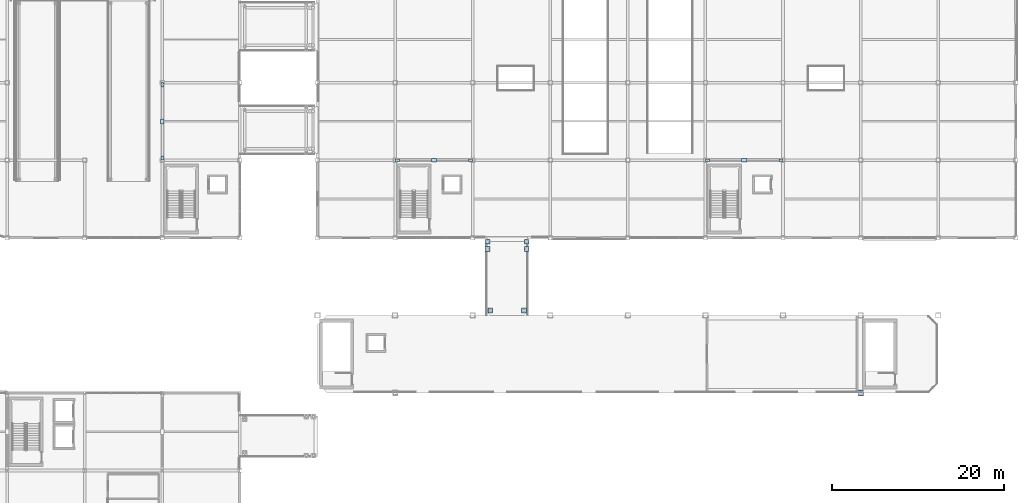
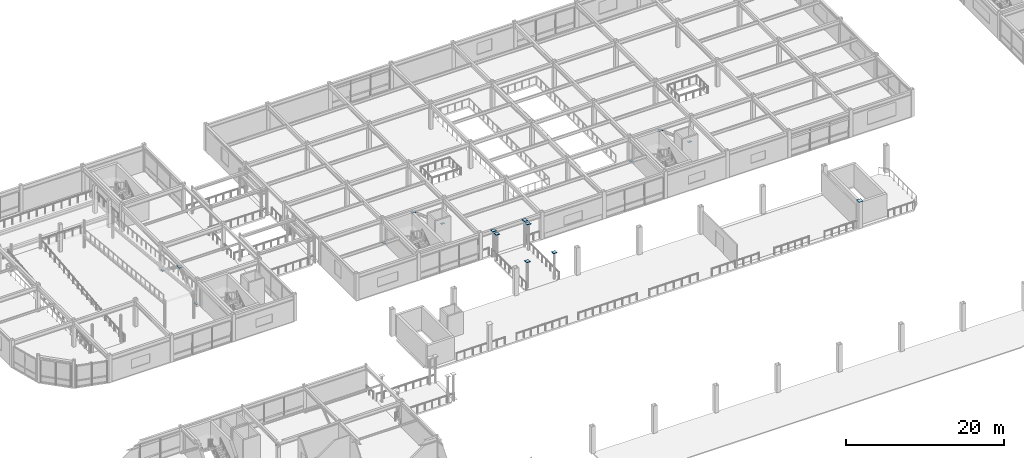
# One storey, part 69 of 105: 16 plates.
"""IFC4 building model written with IfcOpenShell, lengths in metres."""

from ifc_helpers import new_model, si_unit, direction, frame, origin, origin_2d, place, context, subcontext, project, spatial, rectangle, extrude, material, layer, layer_set, type_object, element, save


model = new_model("IFC4")

# Units and contexts
model_context = context("Model", 3, precision=1e-05, world=origin(), true_north=direction((0.0, 1.0)))
body_context = subcontext(model_context, "Body", "Model", "MODEL_VIEW")
ifc_project = project(units=[si_unit("LENGTHUNIT", "METRE"), si_unit("AREAUNIT", "SQUARE_METRE"), si_unit("VOLUMEUNIT", "CUBIC_METRE"), si_unit("PLANEANGLEUNIT", "RADIAN"), si_unit("MASSUNIT", "GRAM", prefix="KILO")], contexts=[model_context])

# Site, building, storey
site_placement = place(None, origin())
site = spatial("IfcSite", under=ifc_project, at=site_placement, CompositionType="ELEMENT")
building_placement = place(site_placement, origin())
building = spatial("IfcBuilding", under=site, at=building_placement, Name="Suzunagisa Mobility Hub", CompositionType="ELEMENT")
storey_placement = place(building_placement, frame((0.0, 0.0, 5.10009765625)))
storey = spatial("IfcBuildingStorey", under=building, at=storey_placement, Name="L01", CompositionType="ELEMENT", Elevation=5.10009765625)

# Plates
ifc_material = material(Name="Steel SN490B", Category="steel")
ifc_layer_1 = layer(ifc_material, 0.02392578125)
ifc_layer_set_1 = layer_set([ifc_layer_1], Name="Steel SN490B")
plate_type_1 = type_object("IfcPlateType", Name="Structural Steel Plate SP-01 550x550x24", PredefinedType="USERDEFINED", material=ifc_layer_set_1)
for number, where, z_axis, x_axis, name in (
    (1, (64.719970703125, 78.699951171875, 4.06005859375), (0.0, 0.0, 1.0), (1.0, 0.0, 0.0), "L01 Column Cap Plate CP-143"),
    (2, (64.719970703125, 79.530029296875, 4.06005859375), (0.0, 0.0, 1.0), (1.0, 0.0, 0.0), "L01 Column Cap Plate CP-144"),
    (3, (65.050048828125, 71.550048828125, 4.06005859375), (0.0, 0.0, 1.0), (1.0, 0.0, 0.0), "L01 Column Cap Plate CP-145"),
    (4, (68.949951171875, 71.550048828125, 4.06005859375), (0.0, 0.0, 1.0), (1.0, 0.0, 0.0), "L01 Column Cap Plate CP-147"),
    (5, (69.280029296875, 78.699951171875, 4.06005859375), (0.0, 0.0, 1.0), (1.0, 0.0, 0.0), "L01 Column Cap Plate CP-148"),
    (6, (69.280029296875, 79.530029296875, 4.06005859375), (0.0, 0.0, 1.0), (1.0, 0.0, 0.0), "L01 Column Cap Plate CP-149"),
):
    element("IfcPlate", number, at=place(storey_placement, frame(where, z_axis=z_axis, x_axis=x_axis)), inside=storey, type_object=plate_type_1, Name=name, ObjectType="BASE PLATE", PredefinedType="USERDEFINED", context=body_context, shape_type="SweptSolid", body=[
        extrude(rectangle(XDim=0.550048828125, YDim=0.550048828125, at=origin_2d()), origin(), (0.0, 0.0, 1.0), 0.02392578125),
    ])
ifc_layer_2 = layer(ifc_material, 0.028076171875)
ifc_layer_set_2 = layer_set([ifc_layer_2], Name="Steel SN490B")
plate_type_2 = type_object("IfcPlateType", Name="Structural Steel Plate SP-04 480x320x28", PredefinedType="USERDEFINED", material=ifc_layer_set_2)
for number, where, z_axis, x_axis, name in (
    (7, (27.0, 89.2451171875, 0.10595703125), (0.0, 0.0, 1.0), (1.0, 0.0, 0.0), "L01 Brace Foot Gusset Plate FGP-110.1"),
    (8, (27.0, 97.7548828125, 0.10595703125), (0.0, 0.0, 1.0), (1.0, 0.0, 0.0), "L01 Brace Foot Gusset Plate FGP-110.2"),
):
    element("IfcPlate", number, at=place(storey_placement, frame(where, z_axis=z_axis, x_axis=x_axis)), inside=storey, type_object=plate_type_2, Name=name, ObjectType="GUSSET PLATE", PredefinedType="USERDEFINED", context=body_context, shape_type="SweptSolid", body=[
        extrude(rectangle(XDim=0.320068359375, YDim=0.47998046875, at=origin_2d()), origin(), (0.0, 0.0, 1.0), 0.028076171875),
    ])
for number, where, z_axis, x_axis, name in (
    (9, (54.2451171875, 89.0, 0.10595703125), (0.0, 0.0, 1.0), (1.0, 0.0, 0.0), "L01 Brace Foot Gusset Plate FGP-114.1"),
    (10, (62.7548828125, 89.0, 0.10595703125), (0.0, 0.0, 1.0), (1.0, 0.0, 0.0), "L01 Brace Foot Gusset Plate FGP-114.2"),
    (11, (90.2451171875, 89.0, 0.10595703125), (0.0, 0.0, 1.0), (1.0, 0.0, 0.0), "L01 Brace Foot Gusset Plate FGP-120.1"),
    (12, (98.7548828125, 89.0, 0.10595703125), (0.0, 0.0, 1.0), (1.0, 0.0, 0.0), "L01 Brace Foot Gusset Plate FGP-120.2"),
):
    element("IfcPlate", number, at=place(storey_placement, frame(where, z_axis=z_axis, x_axis=x_axis)), inside=storey, type_object=plate_type_2, Name=name, ObjectType="GUSSET PLATE", PredefinedType="USERDEFINED", context=body_context, shape_type="SweptSolid", body=[
        extrude(rectangle(XDim=0.47998046875, YDim=0.320068359375, at=origin_2d()), origin(), (0.0, 0.0, 1.0), 0.028076171875),
    ])
ifc_layer_3 = layer(ifc_material, 0.031982421875)
ifc_layer_set_3 = layer_set([ifc_layer_3], Name="Steel SN490B")
plate_type_3 = type_object("IfcPlateType", Name="Structural Steel Plate SP-05 650x650x32", PredefinedType="USERDEFINED", material=ifc_layer_set_3)
plate_1_placement = place(storey_placement, frame((108.0, 62.0, 4.14013671875), z_axis=(0.0, 0.0, 1.0), x_axis=(1.0, 0.0, 0.0)))
element("IfcPlate", 13, at=plate_1_placement, inside=storey, type_object=plate_type_3, Name="L01 Column Cap Plate CP-202", ObjectType="BASE PLATE", PredefinedType="USERDEFINED", context=body_context, shape_type="SweptSolid", body=[
    extrude(rectangle(XDim=0.64990234375, YDim=0.64990234375, at=origin_2d()), origin(), (0.0, 0.0, 1.0), 0.031982421875),
])
ifc_layer_4 = layer(ifc_material, 0.028076171875)
ifc_layer_set_4 = layer_set([ifc_layer_4], Name="Steel SN490B")
plate_type_4 = type_object("IfcPlateType", Name="Structural Steel Plate SP-06 600x400x28", PredefinedType="USERDEFINED", material=ifc_layer_set_4)
plate_2_placement = place(storey_placement, frame((27.0, 93.5, 3.2119140625), z_axis=(0.0, 0.0, 1.0), x_axis=(1.0, 0.0, 0.0)))
element("IfcPlate", 14, at=plate_2_placement, inside=storey, type_object=plate_type_4, Name="L01 Brace Apex Gusset GP-110", ObjectType="GUSSET PLATE", PredefinedType="USERDEFINED", context=body_context, shape_type="SweptSolid", body=[
    extrude(rectangle(XDim=0.39990234375, YDim=0.60009765625, at=origin_2d()), origin(), (0.0, 0.0, 1.0), 0.028076171875),
])
for number, where, z_axis, x_axis, name in (
    (15, (58.5, 89.0, 3.32373046875), (0.0, 0.0, 1.0), (1.0, 0.0, 0.0), "L01 Brace Apex Gusset GP-114"),
    (16, (94.5, 89.0, 3.32373046875), (0.0, 0.0, 1.0), (1.0, 0.0, 0.0), "L01 Brace Apex Gusset GP-120"),
):
    element("IfcPlate", number, at=place(storey_placement, frame(where, z_axis=z_axis, x_axis=x_axis)), inside=storey, type_object=plate_type_4, Name=name, ObjectType="GUSSET PLATE", PredefinedType="USERDEFINED", context=body_context, shape_type="SweptSolid", body=[
        extrude(rectangle(XDim=0.60009765625, YDim=0.39990234375, at=origin_2d()), origin(), (0.0, 0.0, 1.0), 0.028076171875),
    ])

save(model, "model.ifc")
